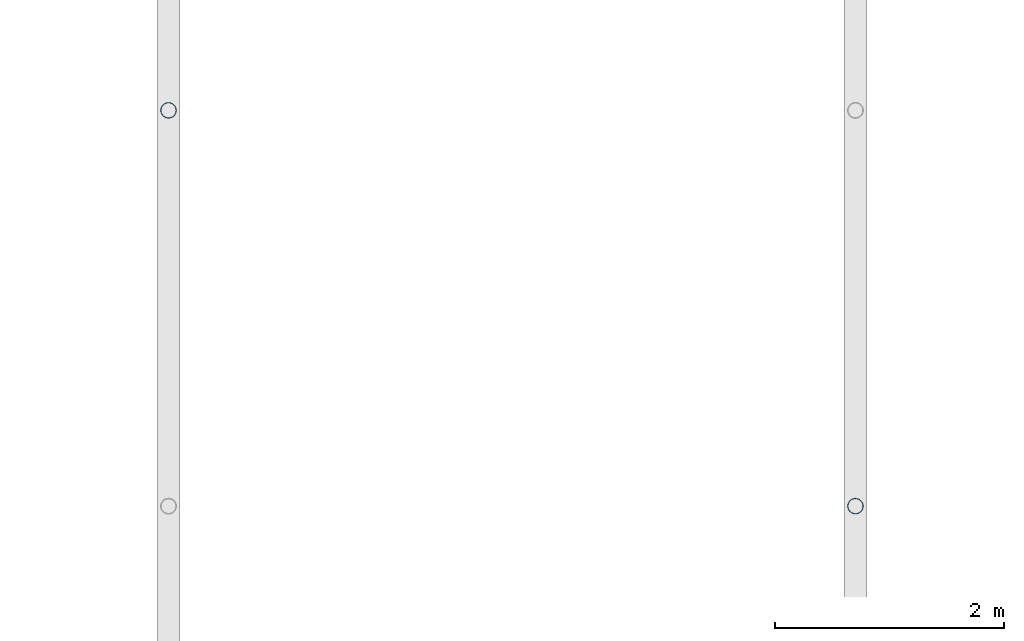
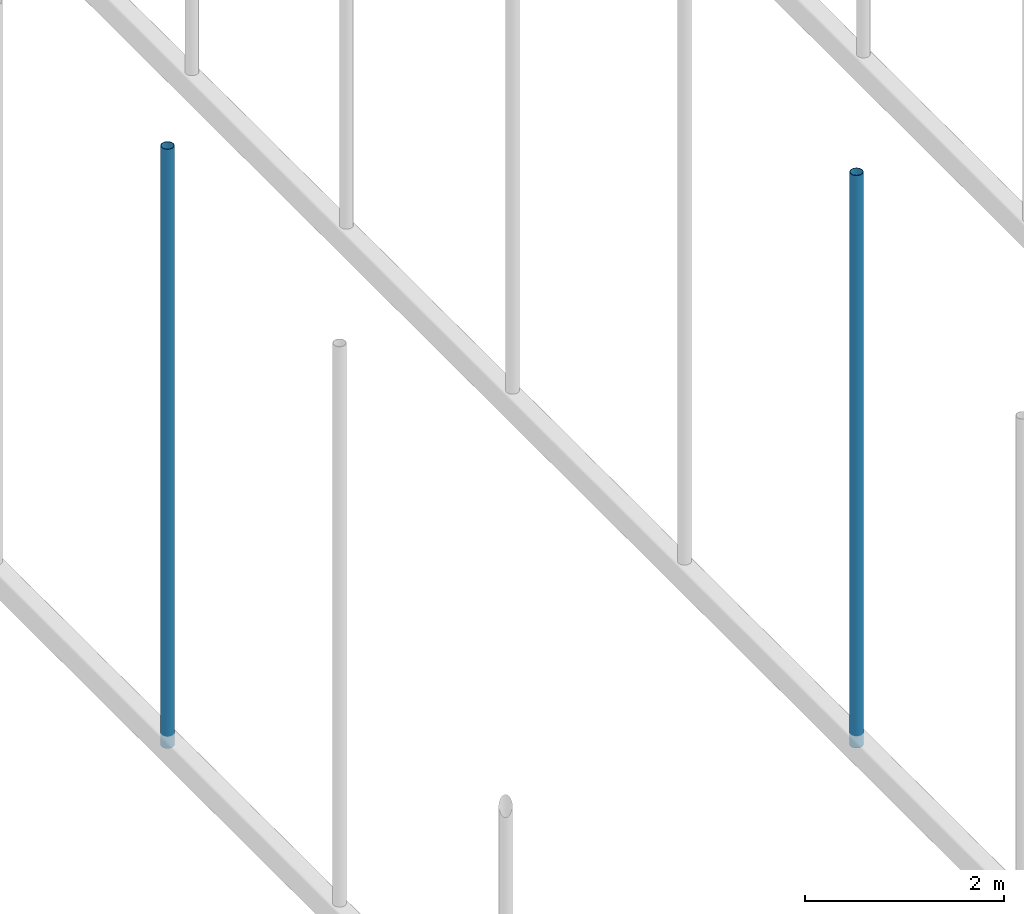
# One storey, part 30 of 63: 2 members.
"""IFC4 building model written with IfcOpenShell, lengths in metres."""

from ifc_helpers import new_model, si_unit, direction, frame, origin, origin_2d, place, context, subcontext, project, spatial, hollow_circle, extrude, material, material_profile, profile_set, type_object, element, save


model = new_model("IFC4")

# Units and contexts
model_context = context("Model", 3, precision=1e-05, world=origin(), true_north=direction((0.0, 1.0)))
body_context = subcontext(model_context, "Body", "Model", "MODEL_VIEW")
ifc_project = project(units=[si_unit("LENGTHUNIT", "METRE"), si_unit("AREAUNIT", "SQUARE_METRE"), si_unit("VOLUMEUNIT", "CUBIC_METRE"), si_unit("PLANEANGLEUNIT", "RADIAN"), si_unit("MASSUNIT", "GRAM", prefix="KILO")], contexts=[model_context])

# Site, building, storey
site_placement = place(None, origin())
site = spatial("IfcSite", under=ifc_project, at=site_placement, CompositionType="ELEMENT")
building_placement = place(site_placement, origin())
building = spatial("IfcBuilding", under=site, at=building_placement, Name="Varnakota Square Police Headquarters", CompositionType="ELEMENT")
storey_placement = place(building_placement, frame((0.0, 0.0, 22.199951171875)))
storey = spatial("IfcBuildingStorey", under=building, at=storey_placement, Name="L05", CompositionType="ELEMENT", Elevation=22.199951171875)

# Members
ifc_material = material(Name="Steel IS 2062 Grade 350", Category="steel")
ifc_material_profile = material_profile(ifc_material, hollow_circle(Radius=0.06982421875, WallThickness=0.006103515625, at=origin_2d()), Name="CHS 139.7x6.0")
ifc_profile_set = profile_set([ifc_material_profile], Name="Steel IS 2062 Grade 350")
member_type = type_object("IfcMemberType", Name="MEM-HNG-CHS139", PredefinedType="STRUT", material=ifc_profile_set)
member_1_placement = place(storey_placement, frame((78.0, 84.0, -0.14990234375), z_axis=(0.0, 0.0, 1.0), x_axis=(1.0, 0.0, 0.0)))
element("IfcMember", 1, at=member_1_placement, inside=storey, type_object=member_type, Name="Barrel vault hanger strut V2-R04-N5", PredefinedType="STRUT", context=body_context, shape_type="SweptSolid", body=[
    extrude(hollow_circle(Radius=0.06982421875, WallThickness=0.006103515625, at=origin_2d()), origin(), (0.0, 0.0, 1.0), 7.351318359375),
])
member_2_placement = place(storey_placement, frame((84.0, 80.54248046875, -0.14990234375), z_axis=(0.0, 0.0, 1.0), x_axis=(1.0, 0.0, 0.0)))
element("IfcMember", 2, at=member_2_placement, inside=storey, type_object=member_type, Name="Barrel vault hanger strut V2-R05-N4", PredefinedType="STRUT", context=body_context, shape_type="SweptSolid", body=[
    extrude(hollow_circle(Radius=0.06982421875, WallThickness=0.006103515625, at=origin_2d()), origin(), (0.0, 0.0, 1.0), 7.02490234375),
])

save(model, "model.ifc")
